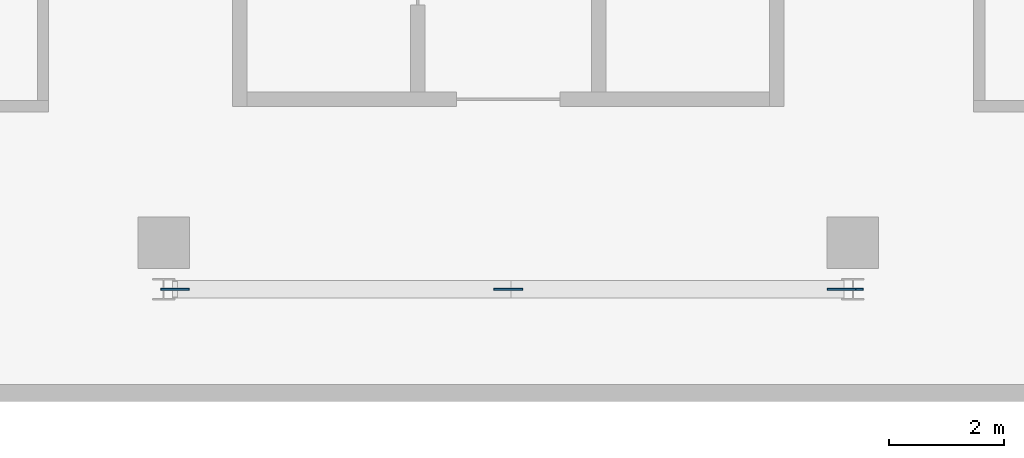
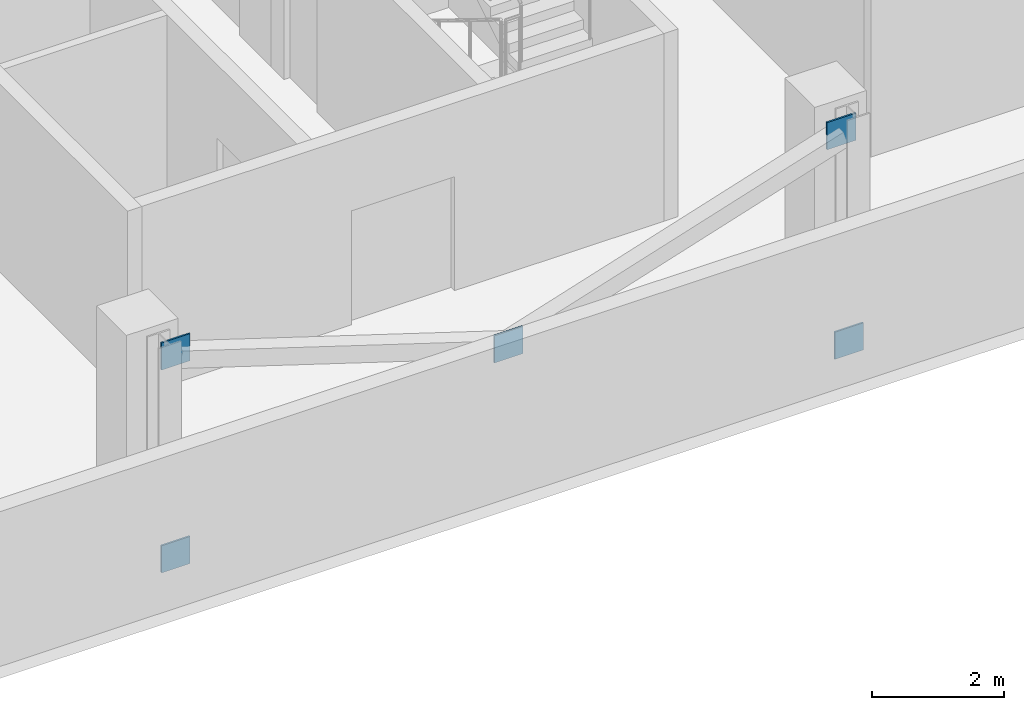
# One storey, part 20 of 30: 5 discrete accessories.
"""IFC4 building model written with IfcOpenShell, lengths in metres."""

from ifc_helpers import new_model, si_unit, direction, frame, origin, origin_2d, place, context, subcontext, project, spatial, rectangle, extrude, material, layer, layer_set, type_object, element, save


model = new_model("IFC4")

# Units and contexts
model_context = context("Model", 3, precision=1e-05, world=origin(), true_north=direction((0.0, 1.0)))
body_context = subcontext(model_context, "Body", "Model", "MODEL_VIEW")
ifc_project = project(units=[si_unit("LENGTHUNIT", "METRE"), si_unit("AREAUNIT", "SQUARE_METRE"), si_unit("VOLUMEUNIT", "CUBIC_METRE"), si_unit("PLANEANGLEUNIT", "RADIAN"), si_unit("MASSUNIT", "GRAM", prefix="KILO")], contexts=[model_context])

# Site, building, storey
site_placement = place(None, origin())
site = spatial("IfcSite", under=ifc_project, at=site_placement, CompositionType="ELEMENT")
building_placement = place(site_placement, origin())
building = spatial("IfcBuilding", under=site, at=building_placement, Name="Mahtab Terrace Research Tower", CompositionType="ELEMENT")
storey_placement = place(building_placement, frame((0.0, 0.0, 263.300048828125)))
storey = spatial("IfcBuildingStorey", under=building, at=storey_placement, Name="L64", CompositionType="ELEMENT", Elevation=263.300048828125)

# Discrete accessories
ifc_material = material(Name="Steel ASTM A992 Gr 50", Category="steel")
ifc_layer = layer(ifc_material, 0.030029296875)
ifc_layer_set = layer_set([ifc_layer], Name="Gusset plate 500x500x30")
discrete_accessory_type = type_object("IfcDiscreteAccessoryType", Name="Gusset plate 500x500x30", PredefinedType="USERDEFINED", material=ifc_layer_set)
for number, where, z_axis, x_axis, name in (
    (1, (-5.802978515625, -12.306884765625, -0.831298828125), (0.0, 0.0, 1.0), (1.0, 0.0, 0.0), "Gusset plate"),
    (2, (-5.802978515625, -12.306884765625, 2.906494140625), (0.0, 0.0, 1.0), (1.0, 0.0, 0.0), "Gusset plate"),
    (3, (0.0, -12.306884765625, 1.00634765625), (0.0, 0.0, 1.0), (1.0, 0.0, 0.0), "Gusset plate"),
    (4, (5.934326171875, -12.306884765625, -1.004150390625), (0.0, 0.0, 1.0), (1.0, 0.0, 0.0), "Gusset plate"),
    (5, (5.802978515625, -12.306884765625, 2.906494140625), (0.0, 0.0, 1.0), (1.0, 0.0, 0.0), "Gusset plate"),
):
    element("IfcDiscreteAccessory", number, at=place(storey_placement, frame(where, z_axis=z_axis, x_axis=x_axis)), inside=storey, type_object=discrete_accessory_type, Name=name, ObjectType="GUSSET PLATE", PredefinedType="USERDEFINED", context=body_context, shape_type="SweptSolid", body=[
        extrude(rectangle(XDim=0.5, YDim=0.030029296875, at=origin_2d()), origin(), (0.0, 0.0, 1.0), 0.5),
    ])

save(model, "model.ifc")
